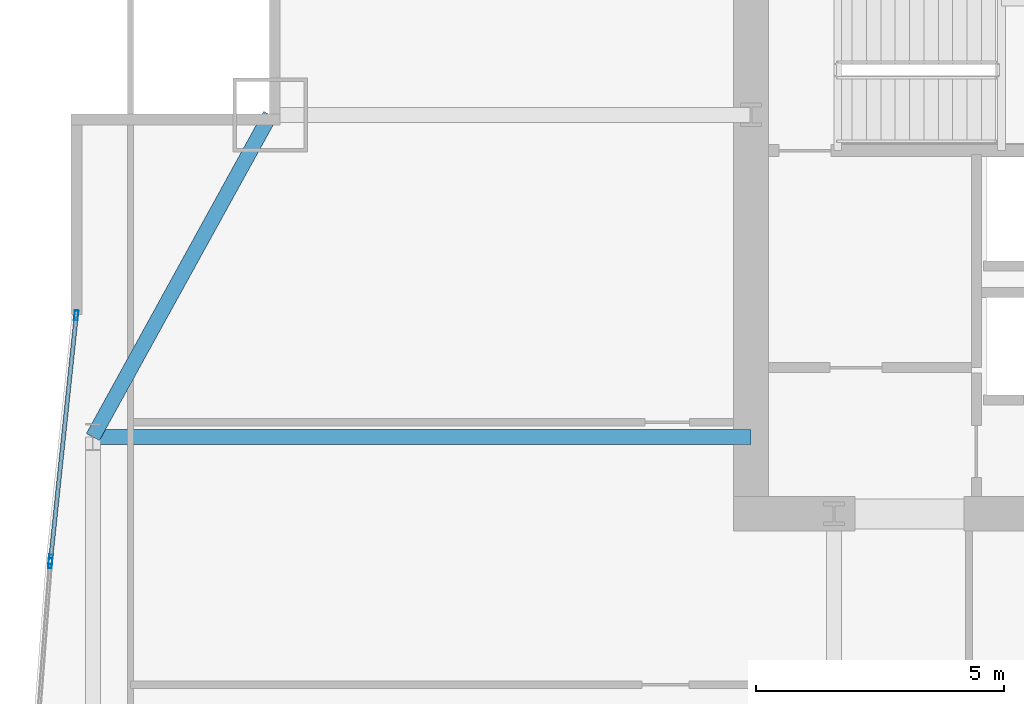
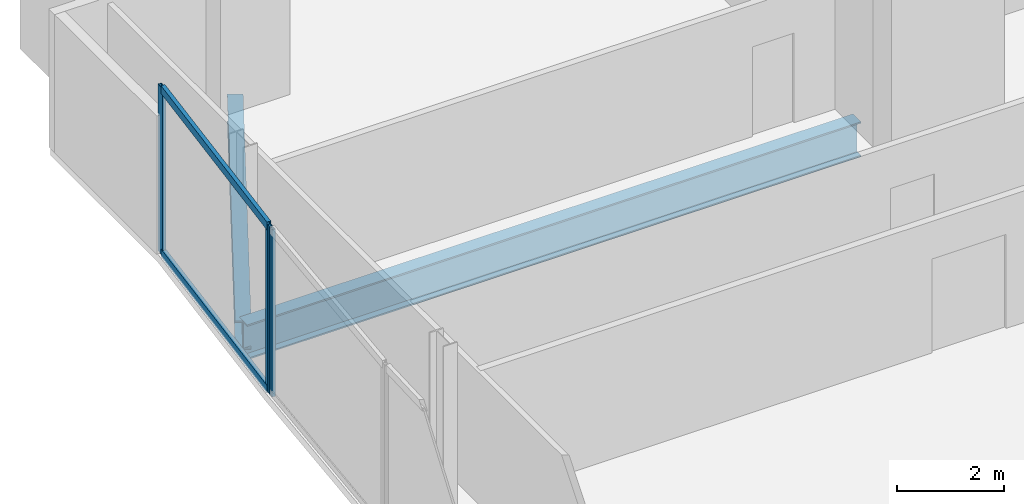
# One storey, part 17 of 30: 5 members, 2 beams, 2 elements without a shape of their own.
"""IFC4 building model written with IfcOpenShell, lengths in metres."""

from ifc_helpers import new_model, si_unit, direction, frame, origin, origin_2d, place, context, subcontext, project, spatial, hollow_rectangle, i_section, extrude, material, material_profile, profile_set, type_object, element, aggregate, save


model = new_model("IFC4")

# Units and contexts
model_context = context("Model", 3, precision=1e-05, world=origin(), true_north=direction((0.0, 1.0)))
body_context = subcontext(model_context, "Body", "Model", "MODEL_VIEW")
ifc_project = project(units=[si_unit("LENGTHUNIT", "METRE"), si_unit("AREAUNIT", "SQUARE_METRE"), si_unit("VOLUMEUNIT", "CUBIC_METRE"), si_unit("PLANEANGLEUNIT", "RADIAN"), si_unit("MASSUNIT", "GRAM", prefix="KILO")], contexts=[model_context])

# Site, building, storey
site_placement = place(None, origin())
site = spatial("IfcSite", under=ifc_project, at=site_placement, CompositionType="ELEMENT")
building_placement = place(site_placement, origin())
building = spatial("IfcBuilding", under=site, at=building_placement, Name="Khoronbel Lancet Exchange", CompositionType="ELEMENT")
storey_placement = place(building_placement, frame((0.0, 0.0, 90.60009765625)))
storey = spatial("IfcBuildingStorey", under=building, at=storey_placement, Name="L21", CompositionType="ELEMENT", Elevation=90.60009765625)

# Beams
ifc_material_1 = material(Name="Steel S355", Category="steel")
ifc_material_profile_1 = material_profile(ifc_material_1, i_section(OverallWidth=0.300048828125, OverallDepth=0.800048828125, WebThickness=0.017578125, FlangeThickness=0.032958984375, at=origin_2d()), Name="HEB 800")
ifc_profile_set_1 = profile_set([ifc_material_profile_1], Name="Steel S355")
beam_type_1 = type_object("IfcBeamType", Name="BM-BG2", PredefinedType="BEAM", material=ifc_profile_set_1)
beam_1_placement = place(storey_placement, frame((3.27001953125, 43.199951171875, -0.580078125), z_axis=(1.0, 0.0, 0.0), x_axis=(0.0, 1.0, 0.0)))
element("IfcBeam", 1, at=beam_1_placement, inside=storey, type_object=beam_type_1, Name="Level L21 west lens tie girder LG3W", PredefinedType="BEAM", context=body_context, shape_type="SweptSolid", body=[
    extrude(i_section(OverallWidth=0.300048828125, OverallDepth=0.800048828125, WebThickness=0.017578125, FlangeThickness=0.032958984375, at=origin_2d()), origin(), (0.0, 0.0, 1.0), 13.280029296875),
])
ifc_material_profile_2 = material_profile(ifc_material_1, i_section(OverallWidth=0.300048828125, OverallDepth=0.64990234375, WebThickness=0.01611328125, FlangeThickness=0.031005859375, at=origin_2d()), Name="HEB 650")
ifc_profile_set_2 = profile_set([ifc_material_profile_2], Name="Steel S355")
beam_type_2 = type_object("IfcBeamType", Name="BM-BSP1", PredefinedType="SPANDREL", material=ifc_profile_set_2)
beam_2_placement = place(storey_placement, frame((6.85009765625, 49.699951171875, -0.505126953125), z_axis=(-0.482444051088, -0.875926787791, 0.0), x_axis=(0.875926787791, -0.482444051088, 0.0)))
element("IfcBeam", 2, at=beam_2_placement, inside=storey, type_object=beam_type_2, Name="Level L21 perimeter spandrel beam SP16", PredefinedType="SPANDREL", context=body_context, shape_type="SweptSolid", body=[
    extrude(i_section(OverallWidth=0.300048828125, OverallDepth=0.64990234375, WebThickness=0.01611328125, FlangeThickness=0.031005859375, at=origin_2d()), origin(), (0.0, 0.0, 1.0), 7.420654296875),
])

# Curtain wall, member
ifc_material_2 = material(Name="Low-E Solar Control Insulating Glass", Category="glass")
curtain_wall_type = type_object("IfcCurtainWallType", Name="CW-4", PredefinedType="NOTDEFINED", material=ifc_material_2)
curtain_wall_1_placement = place(storey_placement, origin())
curtain_wall_1 = element("IfcCurtainWall", 3, at=curtain_wall_1_placement, inside=storey, type_object=curtain_wall_type, Name="Unitised curtain wall CW-L21-E08", PredefinedType="NOTDEFINED")
ifc_material_3 = material(Name="Bronze-Anodised Aluminium 6063-T6", Category="aluminium")
ifc_material_profile_3 = material_profile(ifc_material_3, hollow_rectangle(XDim=0.074951171875, YDim=0.199951171875, WallThickness=0.0048828125, at=origin_2d()), Name="ALU MULLION 75x200")
ifc_profile_set_3 = profile_set([ifc_material_profile_3], Name="Bronze-Anodised Aluminium 6063-T6")
member_type_1 = type_object("IfcMemberType", Name="MEM-CWM2", PredefinedType="MULLION", material=ifc_profile_set_3)
member_1_placement = place(storey_placement, frame((2.41162109375, 40.654541015625, 0.0), z_axis=(0.0, 0.0, 1.0), x_axis=(-0.997059882555, 0.076626304874, 0.0)))
member_1 = element("IfcMember", 4, at=member_1_placement, type_object=member_type_1, Name="CW4 mullion 2", PredefinedType="MULLION", context=body_context, shape_type="SweptSolid", body=[
    extrude(hollow_rectangle(XDim=0.074951171875, YDim=0.199951171875, WallThickness=0.0048828125, at=origin_2d()), origin(), (0.0, 0.0, 1.0), 3.81982421875),
])
aggregate(curtain_wall_1, [member_1])

# Curtain wall, members
curtain_wall_2_placement = place(storey_placement, origin())
curtain_wall_2 = element("IfcCurtainWall", 5, at=curtain_wall_2_placement, inside=storey, type_object=curtain_wall_type, Name="Unitised curtain wall CW-L21-E09", PredefinedType="NOTDEFINED")
member_2_placement = place(storey_placement, frame((2.41845703125, 40.729248046875, 0.0), z_axis=(0.0, 0.0, 1.0), x_axis=(-0.994531779003, 0.104434383958, 0.0)))
member_2 = element("IfcMember", 6, at=member_2_placement, type_object=member_type_1, Name="CW4 mullion 1", PredefinedType="MULLION", context=body_context, shape_type="SweptSolid", body=[
    extrude(hollow_rectangle(XDim=0.074951171875, YDim=0.199951171875, WallThickness=0.0048828125, at=origin_2d()), origin(), (0.0, 0.0, 1.0), 3.81982421875),
])
member_3_placement = place(storey_placement, frame((2.93603515625, 45.657958984375, 0.0), z_axis=(0.0, 0.0, 1.0), x_axis=(-0.994531779003, 0.104434383958, 0.0)))
member_3 = element("IfcMember", 7, at=member_3_placement, type_object=member_type_1, Name="CW4 mullion 2", PredefinedType="MULLION", context=body_context, shape_type="SweptSolid", body=[
    extrude(hollow_rectangle(XDim=0.074951171875, YDim=0.199951171875, WallThickness=0.0048828125, at=origin_2d()), origin(), (0.0, 0.0, 1.0), 3.81982421875),
])
ifc_material_profile_4 = material_profile(ifc_material_3, hollow_rectangle(XDim=0.0849609375, YDim=0.179931640625, WallThickness=0.0048828125, at=origin_2d()), Name="ALU TRANSOM 85x180")
ifc_profile_set_4 = profile_set([ifc_material_profile_4], Name="Bronze-Anodised Aluminium 6063-T6")
member_type_2 = type_object("IfcMemberType", Name="MEM-CWT1", PredefinedType="USERDEFINED", material=ifc_profile_set_4)
member_4_placement = place(storey_placement, frame((2.42236328125, 40.7666015625, 0.04248046875), z_axis=(0.104445225696, 0.994530640468, 0.0), x_axis=(-0.994530640468, 0.104445225696, 0.0)))
member_4 = element("IfcMember", 8, at=member_4_placement, type_object=member_type_2, Name="CW4 transom 1.1", ObjectType="TRANSOM", PredefinedType="USERDEFINED", context=body_context, shape_type="SweptSolid", body=[
    extrude(hollow_rectangle(XDim=0.0849609375, YDim=0.179931640625, WallThickness=0.0048828125, at=origin_2d()), origin(), (0.0, 0.0, 1.0), 4.880615234375),
])
member_5_placement = place(storey_placement, frame((2.42236328125, 40.7666015625, 3.77734375), z_axis=(0.104445225696, 0.994530640468, 0.0), x_axis=(-0.994530640468, 0.104445225696, 0.0)))
member_5 = element("IfcMember", 9, at=member_5_placement, type_object=member_type_2, Name="CW4 transom 1.2", ObjectType="TRANSOM", PredefinedType="USERDEFINED", context=body_context, shape_type="SweptSolid", body=[
    extrude(hollow_rectangle(XDim=0.0849609375, YDim=0.179931640625, WallThickness=0.0048828125, at=origin_2d()), origin(), (0.0, 0.0, 1.0), 4.880615234375),
])
aggregate(curtain_wall_2, [member_2, member_3, member_4, member_5])

save(model, "model.ifc")
